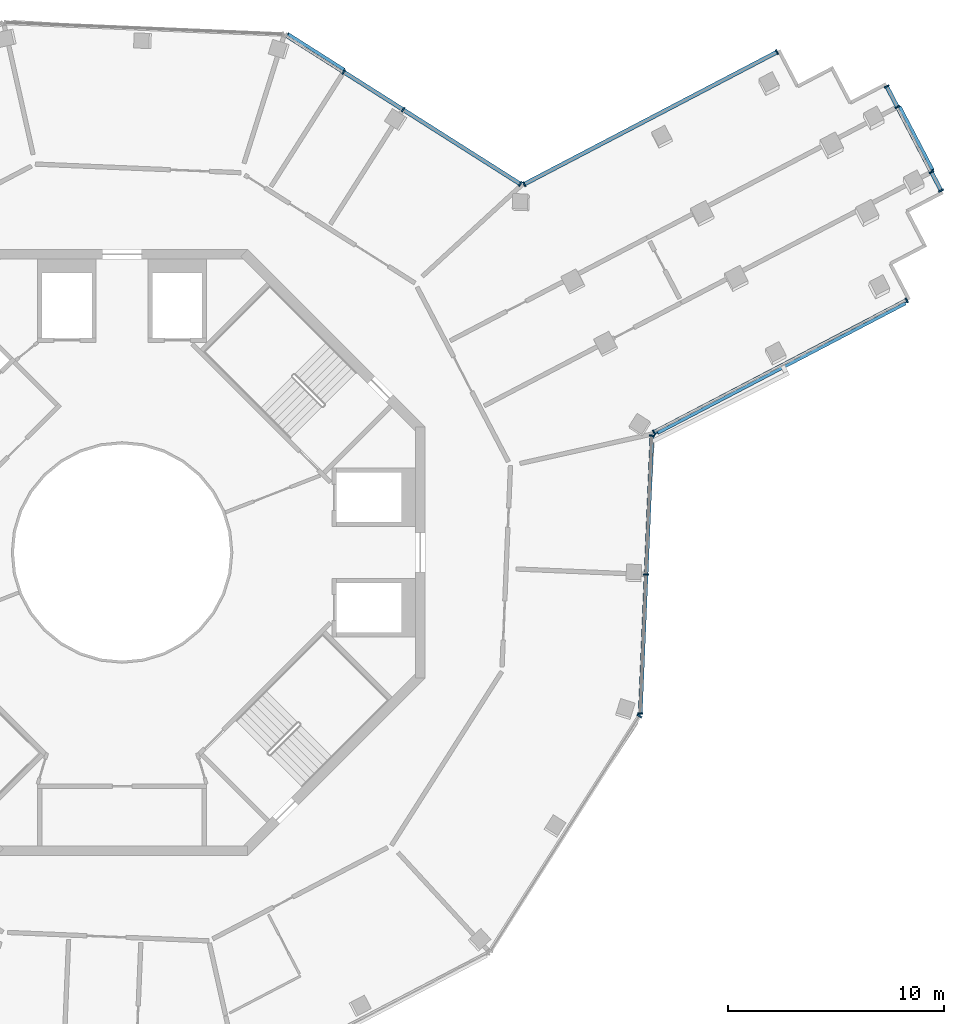
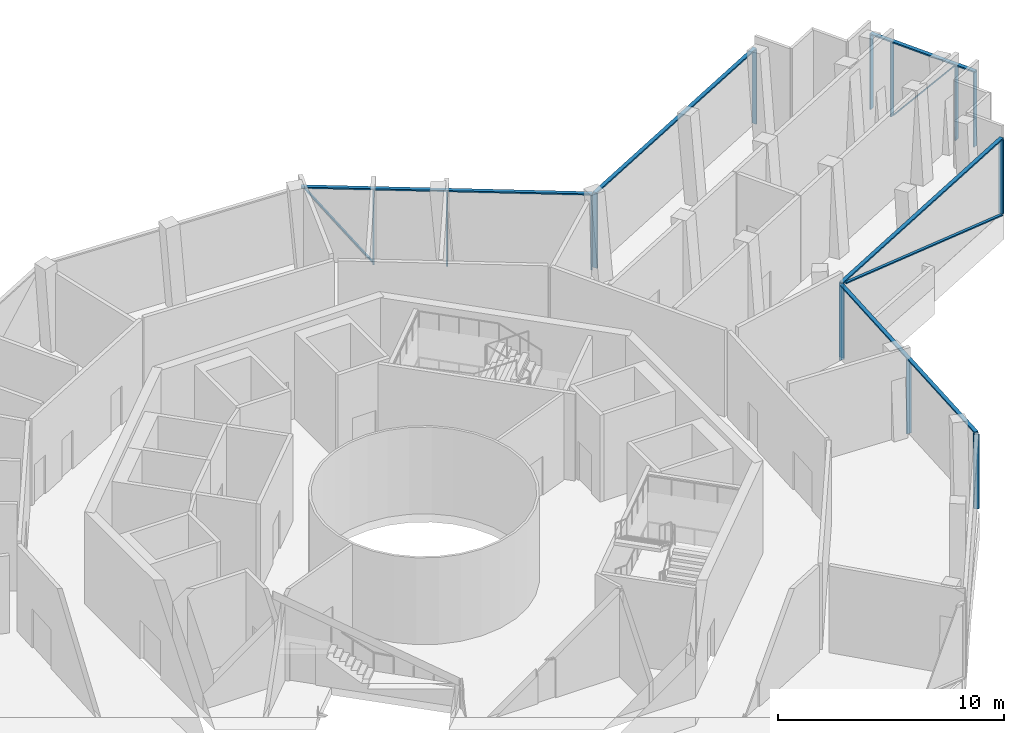
# One storey, part 5 of 21: 23 members, 6 elements without a shape of their own.
"""IFC4 building model written with IfcOpenShell, lengths in metres."""

from ifc_helpers import new_model, si_unit, direction, frame, origin, origin_2d, place, context, subcontext, project, spatial, rectangle, extrude, material, layer, layer_set, material_profile, profile_set, type_object, element, aggregate, save


model = new_model("IFC4")

# Units and contexts
model_context = context("Model", 3, precision=1e-05, world=origin(), true_north=direction((0.0, 1.0)))
body_context = subcontext(model_context, "Body", "Model", "MODEL_VIEW")
ifc_project = project(units=[si_unit("LENGTHUNIT", "METRE"), si_unit("AREAUNIT", "SQUARE_METRE"), si_unit("VOLUMEUNIT", "CUBIC_METRE"), si_unit("PLANEANGLEUNIT", "RADIAN"), si_unit("MASSUNIT", "GRAM", prefix="KILO")], contexts=[model_context])

# Site, building, storey
site_placement = place(None, origin())
site = spatial("IfcSite", under=ifc_project, at=site_placement, CompositionType="ELEMENT")
building_placement = place(site_placement, origin())
building = spatial("IfcBuilding", under=site, at=building_placement, Name="Verdalira Terraces Hotel", CompositionType="ELEMENT")
storey_placement = place(building_placement, frame((0.0, 0.0, 269.0)))
storey = spatial("IfcBuildingStorey", under=building, at=storey_placement, Name="L66", CompositionType="ELEMENT", Elevation=269.0)

# Curtain wall, member
ifc_material_1 = material(Name="Clear glass", Category="glass")
ifc_layer = layer(ifc_material_1, 0.239990234375)
ifc_layer_set = layer_set([ifc_layer], Name="CW5 curtain wall")
curtain_wall_type = type_object("IfcCurtainWallType", Name="CW5 curtain wall", PredefinedType="NOTDEFINED", material=ifc_layer_set)
curtain_wall_1_placement = place(storey_placement, origin())
curtain_wall_1 = element("IfcCurtainWall", 1, at=curtain_wall_1_placement, inside=storey, type_object=curtain_wall_type, Name="CW5 curtain wall L66 edge 26", PredefinedType="NOTDEFINED")
ifc_material_2 = material(Name="Terracotta frame", Category="masonry")
ifc_material_profile_1 = material_profile(ifc_material_2, rectangle(XDim=0.070068, YDim=0.23999, at=origin_2d()), Name="MU 70x240")
ifc_profile_set_1 = profile_set([ifc_material_profile_1], Name="Terracotta frame")
member_type_1 = type_object("IfcMemberType", Name="CW5 mullion 70x240", PredefinedType="MULLION", material=ifc_profile_set_1)
member_1_placement = place(storey_placement, frame((23.89917, -7.557617, 0.0), z_axis=(0.0, 0.0, 1.0), x_axis=(0.535826795, 0.844327926, 0.0)))
member_1 = element("IfcMember", 2, at=member_1_placement, type_object=member_type_1, Name="CW5 mullion", PredefinedType="MULLION", context=body_context, shape_type="SweptSolid", body=[
    extrude(rectangle(XDim=0.070068, YDim=0.23999, at=origin_2d()), origin(), (0.0, 0.0, 1.0), 4.014893),
])
aggregate(curtain_wall_1, [member_1])

# Curtain wall, members
curtain_wall_2_placement = place(storey_placement, origin())
curtain_wall_2 = element("IfcCurtainWall", 3, at=curtain_wall_2_placement, inside=storey, type_object=curtain_wall_type, Name="CW5 curtain wall L66 edge 27", PredefinedType="NOTDEFINED")
member_2_placement = place(storey_placement, frame((23.937988, -7.433838, 0.0), z_axis=(0.0, 0.0, 1.0), x_axis=(0.041875654, 0.99912283, 0.0)))
member_2 = element("IfcMember", 4, at=member_2_placement, type_object=member_type_1, Name="CW5 mullion", PredefinedType="MULLION", context=body_context, shape_type="SweptSolid", body=[
    extrude(rectangle(XDim=0.070068, YDim=0.23999, at=origin_2d()), origin(), (0.0, 0.0, 1.0), 4.014893),
])
member_3_placement = place(storey_placement, frame((24.207031, -1.014648, 0.0), z_axis=(0.0, 0.0, 1.0), x_axis=(0.041875654, 0.99912283, 0.0)))
member_3 = element("IfcMember", 5, at=member_3_placement, type_object=member_type_1, Name="CW5 mullion", PredefinedType="MULLION", context=body_context, shape_type="SweptSolid", body=[
    extrude(rectangle(XDim=0.070068, YDim=0.23999, at=origin_2d()), origin(), (0.0, 0.0, 1.0), 4.014893),
])
member_4_placement = place(storey_placement, frame((24.475586, 5.392822, 0.0), z_axis=(0.0, 0.0, 1.0), x_axis=(0.041875654, 0.99912283, 0.0)))
member_4 = element("IfcMember", 6, at=member_4_placement, type_object=member_type_1, Name="CW5 mullion", PredefinedType="MULLION", context=body_context, shape_type="SweptSolid", body=[
    extrude(rectangle(XDim=0.070068, YDim=0.23999, at=origin_2d()), origin(), (0.0, 0.0, 1.0), 4.014893),
])

curtain_wall_3_placement = place(storey_placement, origin())
curtain_wall_3 = element("IfcCurtainWall", 7, at=curtain_wall_3_placement, inside=storey, type_object=curtain_wall_type, Name="CW5 curtain wall L66 edge 28", PredefinedType="NOTDEFINED")
member_5_placement = place(storey_placement, frame((24.57251, 5.54541, 0.0), z_axis=(0.0, 0.0, 1.0), x_axis=(0.886203579, 0.463296035, 0.0)))
member_5 = element("IfcMember", 8, at=member_5_placement, type_object=member_type_1, Name="CW5 mullion", PredefinedType="MULLION", context=body_context, shape_type="SweptSolid", body=[
    extrude(rectangle(XDim=0.070068, YDim=0.23999, at=origin_2d()), origin(), (0.0, 0.0, 1.0), 4.014893),
])
member_6_placement = place(storey_placement, frame((36.248291, 11.649414, 0.0), z_axis=(0.0, 0.0, 1.0), x_axis=(0.886203579, 0.463296035, 0.0)))
member_6 = element("IfcMember", 9, at=member_6_placement, type_object=member_type_1, Name="CW5 mullion", PredefinedType="MULLION", context=body_context, shape_type="SweptSolid", body=[
    extrude(rectangle(XDim=0.070068, YDim=0.23999, at=origin_2d()), origin(), (0.0, 0.0, 1.0), 4.014893),
])

curtain_wall_4_placement = place(storey_placement, origin())
curtain_wall_4 = element("IfcCurtainWall", 10, at=curtain_wall_4_placement, inside=storey, type_object=curtain_wall_type, Name="CW5 curtain wall L66 edge 33", PredefinedType="NOTDEFINED")
member_7_placement = place(storey_placement, frame((37.836182, 16.716797, 0.0), z_axis=(0.0, 0.0, 1.0), x_axis=(-0.463296035, 0.886203579, 0.0)))
member_7 = element("IfcMember", 11, at=member_7_placement, type_object=member_type_1, Name="CW5 mullion", PredefinedType="MULLION", context=body_context, shape_type="SweptSolid", body=[
    extrude(rectangle(XDim=0.070068, YDim=0.23999, at=origin_2d()), origin(), (0.0, 0.0, 1.0), 4.014893),
])
member_8_placement = place(storey_placement, frame((37.387451, 17.575195, 0.0), z_axis=(0.0, 0.0, 1.0), x_axis=(-0.463296035, 0.886203579, 0.0)))
member_8 = element("IfcMember", 12, at=member_8_placement, type_object=member_type_1, Name="CW5 mullion", PredefinedType="MULLION", context=body_context, shape_type="SweptSolid", body=[
    extrude(rectangle(XDim=0.070068, YDim=0.23999, at=origin_2d()), origin(), (0.0, 0.0, 1.0), 4.014893),
])
member_9_placement = place(storey_placement, frame((35.816162, 20.580566, 0.0), z_axis=(0.0, 0.0, 1.0), x_axis=(-0.463296035, 0.886203579, 0.0)))
member_9 = element("IfcMember", 13, at=member_9_placement, type_object=member_type_1, Name="CW5 mullion", PredefinedType="MULLION", context=body_context, shape_type="SweptSolid", body=[
    extrude(rectangle(XDim=0.070068, YDim=0.23999, at=origin_2d()), origin(), (0.0, 0.0, 1.0), 4.014893),
])
member_10_placement = place(storey_placement, frame((35.320557, 21.528809, 0.0), z_axis=(0.0, 0.0, 1.0), x_axis=(-0.463296035, 0.886203579, 0.0)))
member_10 = element("IfcMember", 14, at=member_10_placement, type_object=member_type_1, Name="CW5 mullion", PredefinedType="MULLION", context=body_context, shape_type="SweptSolid", body=[
    extrude(rectangle(XDim=0.070068, YDim=0.23999, at=origin_2d()), origin(), (0.0, 0.0, 1.0), 4.014893),
])

curtain_wall_5_placement = place(storey_placement, origin())
curtain_wall_5 = element("IfcCurtainWall", 15, at=curtain_wall_5_placement, inside=storey, type_object=curtain_wall_type, Name="CW5 curtain wall L66 edge 38", PredefinedType="NOTDEFINED")
member_11_placement = place(storey_placement, frame((30.253174, 23.116699, 0.0), z_axis=(0.0, 0.0, 1.0), x_axis=(-0.886203579, -0.463296035, 0.0)))
member_11 = element("IfcMember", 16, at=member_11_placement, type_object=member_type_1, Name="CW5 mullion", PredefinedType="MULLION", context=body_context, shape_type="SweptSolid", body=[
    extrude(rectangle(XDim=0.070068, YDim=0.23999, at=origin_2d()), origin(), (0.0, 0.0, 1.0), 4.014893),
])
member_12_placement = place(storey_placement, frame((18.577393, 17.012695, 0.0), z_axis=(0.0, 0.0, 1.0), x_axis=(-0.886203579, -0.463296035, 0.0)))
member_12 = element("IfcMember", 17, at=member_12_placement, type_object=member_type_1, Name="CW5 mullion", PredefinedType="MULLION", context=body_context, shape_type="SweptSolid", body=[
    extrude(rectangle(XDim=0.070068, YDim=0.23999, at=origin_2d()), origin(), (0.0, 0.0, 1.0), 4.014893),
])

curtain_wall_6_placement = place(storey_placement, origin())
curtain_wall_6 = element("IfcCurtainWall", 18, at=curtain_wall_6_placement, inside=storey, type_object=curtain_wall_type, Name="CW5 curtain wall L66 edge 39", PredefinedType="NOTDEFINED")
member_13_placement = place(storey_placement, frame((18.396973, 17.020264, 0.0), z_axis=(0.0, 0.0, 1.0), x_axis=(-0.844327926, 0.535826795, 0.0)))
member_13 = element("IfcMember", 19, at=member_13_placement, type_object=member_type_1, Name="CW5 mullion", PredefinedType="MULLION", context=body_context, shape_type="SweptSolid", body=[
    extrude(rectangle(XDim=0.070068, YDim=0.23999, at=origin_2d()), origin(), (0.0, 0.0, 1.0), 4.014893),
])
member_14_placement = place(storey_placement, frame((12.982178, 20.456543, 0.0), z_axis=(0.0, 0.0, 1.0), x_axis=(-0.844327926, 0.535826795, 0.0)))
member_14 = element("IfcMember", 20, at=member_14_placement, type_object=member_type_1, Name="CW5 mullion", PredefinedType="MULLION", context=body_context, shape_type="SweptSolid", body=[
    extrude(rectangle(XDim=0.070068, YDim=0.23999, at=origin_2d()), origin(), (0.0, 0.0, 1.0), 4.014893),
])
member_15_placement = place(storey_placement, frame((10.238037, 22.197998, 0.0), z_axis=(0.0, 0.0, 1.0), x_axis=(-0.844327926, 0.535826795, 0.0)))
member_15 = element("IfcMember", 21, at=member_15_placement, type_object=member_type_1, Name="CW5 mullion", PredefinedType="MULLION", context=body_context, shape_type="SweptSolid", body=[
    extrude(rectangle(XDim=0.070068, YDim=0.23999, at=origin_2d()), origin(), (0.0, 0.0, 1.0), 4.014893),
])

# Member
ifc_material_3 = material(Name="Terracotta frame", Category="masonry")
ifc_material_profile_2 = material_profile(ifc_material_3, rectangle(XDim=0.189941, YDim=0.074951, at=origin_2d()), Name="TR 75x190")
ifc_profile_set_2 = profile_set([ifc_material_profile_2], Name="Terracotta frame")
member_type_2 = type_object("IfcMemberType", Name="CW5 transom 75x190", PredefinedType="USERDEFINED", material=ifc_profile_set_2)
member_16_placement = place(storey_placement, frame((23.936523, -7.46875, 4.05249), z_axis=(0.041876002, 0.999122816, 0.0), x_axis=(-0.999122816, 0.041876002, 0.0)))
member_16 = element("IfcMember", 22, at=member_16_placement, type_object=member_type_2, Name="CW5 transom", ObjectType="TRANSOM", PredefinedType="USERDEFINED", context=body_context, shape_type="SweptSolid", body=[
    extrude(rectangle(XDim=0.189941, YDim=0.074951, at=origin_2d()), origin(), (0.0, 0.0, 1.0), 12.907715),
])

aggregate(curtain_wall_2, [member_2, member_3, member_4, member_16])

member_17_placement = place(storey_placement, frame((24.541504, 5.529053, 4.05249), z_axis=(0.886200333, 0.463302245, 0.0), x_axis=(-0.463302245, 0.886200333, 0.0)))
member_17 = element("IfcMember", 23, at=member_17_placement, type_object=member_type_2, Name="CW5 transom", ObjectType="TRANSOM", PredefinedType="USERDEFINED", context=body_context, shape_type="SweptSolid", body=[
    extrude(rectangle(XDim=0.189941, YDim=0.074951, at=origin_2d()), origin(), (0.0, 0.0, 1.0), 13.245117),
])

member_18_placement = place(storey_placement, frame((37.852539, 16.685547, 4.05249), z_axis=(-0.463280356, 0.886211776, 0.0), x_axis=(-0.886211776, -0.463280356, 0.0)))
member_18 = element("IfcMember", 24, at=member_18_placement, type_object=member_type_2, Name="CW5 transom", ObjectType="TRANSOM", PredefinedType="USERDEFINED", context=body_context, shape_type="SweptSolid", body=[
    extrude(rectangle(XDim=0.189941, YDim=0.074951, at=origin_2d()), origin(), (0.0, 0.0, 1.0), 5.5),
])

member_19_placement = place(storey_placement, frame((30.28418, 23.133057, 4.05249), z_axis=(-0.886200333, -0.463302245, 0.0), x_axis=(0.463302245, -0.886200333, 0.0)))
member_19 = element("IfcMember", 25, at=member_19_placement, type_object=member_type_2, Name="CW5 transom", ObjectType="TRANSOM", PredefinedType="USERDEFINED", context=body_context, shape_type="SweptSolid", body=[
    extrude(rectangle(XDim=0.189941, YDim=0.074951, at=origin_2d()), origin(), (0.0, 0.0, 1.0), 13.245117),
])

aggregate(curtain_wall_5, [member_11, member_12, member_19])

member_20_placement = place(storey_placement, frame((18.426514, 17.001709, 4.05249), z_axis=(-0.844331395, 0.535821328, 0.0), x_axis=(-0.535821328, -0.844331395, 0.0)))
member_20 = element("IfcMember", 26, at=member_20_placement, type_object=member_type_2, Name="CW5 transom", ObjectType="TRANSOM", PredefinedType="USERDEFINED", context=body_context, shape_type="SweptSolid", body=[
    extrude(rectangle(XDim=0.189941, YDim=0.074951, at=origin_2d()), origin(), (0.0, 0.0, 1.0), 12.907715),
])

ifc_material_4 = material(Name="Terracotta frame", Category="masonry")
ifc_material_profile_3 = material_profile(ifc_material_4, rectangle(XDim=0.149902, YDim=0.060059, at=origin_2d()), Name="GB 60x150")
ifc_profile_set_3 = profile_set([ifc_material_profile_3], Name="Terracotta frame")
member_type_3 = type_object("IfcMemberType", Name="Diagonal glazing bar 60x150", PredefinedType="USERDEFINED", material=ifc_profile_set_3)
member_21_placement = place(storey_placement, frame((24.733154, 5.519775, 3.98584), z_axis=(0.847321431, 0.442983751, -0.292936494), x_axis=(-0.463308201, 0.886197219, 0.0)))
member_21 = element("IfcMember", 27, at=member_21_placement, type_object=member_type_3, Name="Diagonal glazing bar", ObjectType="GLAZING BAR", PredefinedType="USERDEFINED", context=body_context, shape_type="SweptSolid", body=[
    extrude(rectangle(XDim=0.149902, YDim=0.060059, at=origin_2d()), origin(), (0.0, 0.0, 1.0), 13.506592),
])

aggregate(curtain_wall_3, [member_5, member_6, member_17, member_21])

member_22_placement = place(storey_placement, frame((37.445801, 17.672607, 3.985596), z_axis=(-0.29529003, 0.564902667, -0.770512021), x_axis=(-0.886225444, -0.463254209, 0.0)))
member_22 = element("IfcMember", 28, at=member_22_placement, type_object=member_type_3, Name="Diagonal glazing bar", ObjectType="GLAZING BAR", PredefinedType="USERDEFINED", context=body_context, shape_type="SweptSolid", body=[
    extrude(rectangle(XDim=0.149902, YDim=0.060059, at=origin_2d()), origin(), (0.0, 0.0, 1.0), 5.134277),
])

aggregate(curtain_wall_4, [member_7, member_8, member_9, member_10, member_18, member_22])

member_23_placement = place(storey_placement, frame((10.239502, 22.312012, 0.032227), z_axis=(-0.516503345, 0.327795072, 0.791059217), x_axis=(-0.535840874, -0.844318991, 0.0)))
member_23 = element("IfcMember", 29, at=member_23_placement, type_object=member_type_3, Name="Diagonal glazing bar", ObjectType="GLAZING BAR", PredefinedType="USERDEFINED", context=body_context, shape_type="SweptSolid", body=[
    extrude(rectangle(XDim=0.149902, YDim=0.060059, at=origin_2d()), origin(), (0.0, 0.0, 1.0), 4.993896),
])

aggregate(curtain_wall_6, [member_13, member_14, member_15, member_20, member_23])

save(model, "model.ifc")
